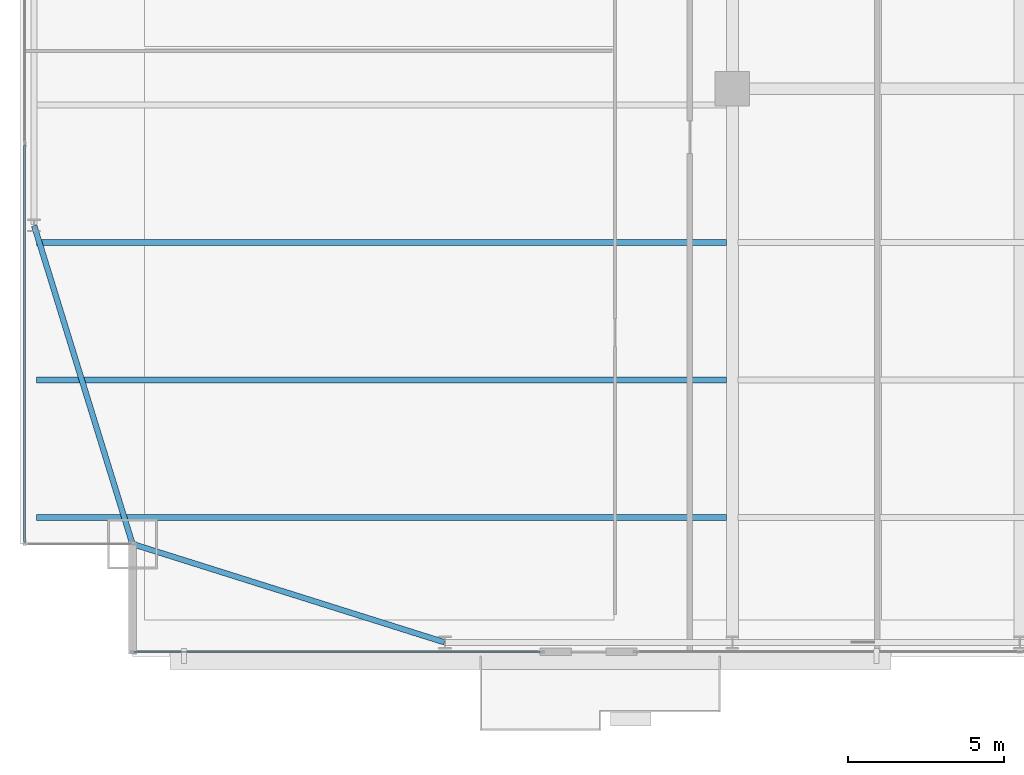
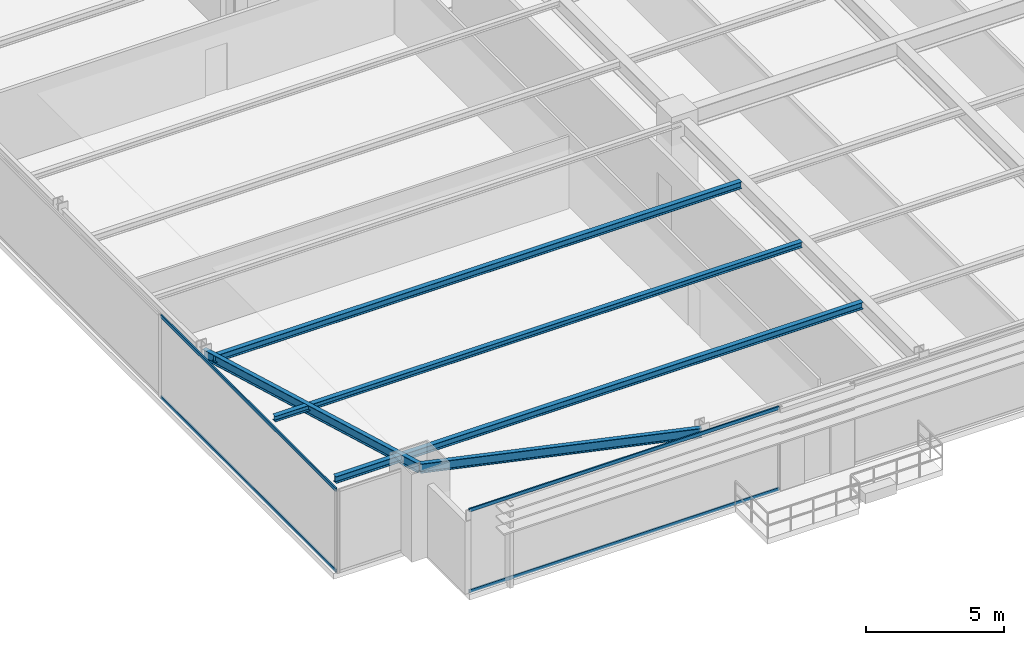
# One storey, part 4 of 31: 5 beams, 4 members, 2 elements without a shape of their own.
"""IFC4 building model written with IfcOpenShell, lengths in metres."""

import ifcopenshell
import ifcopenshell.guid

model = None  # the IFC model being written
_history = None  # IfcOwnerHistory: only IFC2X3 demands one
_inside = {}  # id of a spatial element -> (the spatial element, [elements in it])
_under = {}  # id of a project, library or spatial element -> (it, [spatial elements below it])
_declared = {}  # id of a project -> (the project, [libraries it declares])
_typed = {}  # id of a type object -> (the type object, [elements of that type])
_made_of = {}  # id of a material, layer set ... -> (it, [elements and type objects made of it])


def new_model(schema):
    """Start an empty IFC model of exactly this schema.

    Asked for "IFC4X3", IfcOpenShell would pick the latest addendum, in which some entities
    have other attributes; the version numbers below select the first issue.
    IFC2X3 requires an IfcOwnerHistory on every rooted entity: one is made here for all.
    """
    global model, _history
    if schema == "IFC4X3":
        model = ifcopenshell.file(schema_version=(4, 3, 0, 0))
    else:
        model = ifcopenshell.file(schema=schema)
    _inside.clear()
    _under.clear()
    _declared.clear()
    _typed.clear()
    _made_of.clear()
    _history = None
    if model.schema == "IFC2X3":
        org = make("IfcOrganization", Name="unknown")
        user = make(
            "IfcPersonAndOrganization",
            ThePerson=make("IfcPerson", FamilyName="unknown"),
            TheOrganization=org,
        )
        app = make(
            "IfcApplication",
            ApplicationDeveloper=org,
            Version="unknown",
            ApplicationFullName="unknown",
            ApplicationIdentifier="unknown",
        )
        _history = make(
            "IfcOwnerHistory",
            OwningUser=user,
            OwningApplication=app,
            ChangeAction="ADDED",
            CreationDate=0,
        )
    return model


def make(cls, **values):
    """One entity of the class cls with the attributes given. An attribute that is None is left unset."""
    return model.create_entity(
        cls, **{name: value for name, value in values.items() if value is not None}
    )


def rooted(cls, **values):
    """An entity with a GlobalId (a new one), such as an element, a storey or a relation."""
    return make(cls, GlobalId=ifcopenshell.guid.new(), OwnerHistory=_history, **values)


def si_unit(unit_type, name, prefix=None):
    """IfcSIUnit, for example si_unit("LENGTHUNIT", "METRE", prefix="MILLI")."""
    return make("IfcSIUnit", UnitType=unit_type, Prefix=prefix, Name=name)


def assignment(units):
    """IfcUnitAssignment: the units of a project."""
    return None if units is None else make("IfcUnitAssignment", Units=units)


def point(xyz):
    """IfcCartesianPoint."""
    return None if xyz is None else make("IfcCartesianPoint", Coordinates=xyz)


def direction(xyz):
    """IfcDirection."""
    return None if xyz is None else make("IfcDirection", DirectionRatios=xyz)


def frame(location, z_axis=None, x_axis=None):
    """IfcAxis2Placement3D, a coordinate frame: its origin and axes. An axis left out is left unset."""
    return make(
        "IfcAxis2Placement3D",
        Location=point(location),
        Axis=direction(z_axis),
        RefDirection=direction(x_axis),
    )


def frame_2d(location, x_axis=None):
    """IfcAxis2Placement2D, a coordinate frame in the plane: its origin and x axis."""
    return make(
        "IfcAxis2Placement2D", Location=point(location), RefDirection=direction(x_axis)
    )


def origin():
    """The frame at (0, 0, 0) with its axes left unset."""
    return frame((0.0, 0.0, 0.0))


def origin_2d():
    """The frame at (0, 0) in the plane with its x axis left unset."""
    return frame_2d((0.0, 0.0))


def place(relative_to, where):
    """IfcLocalPlacement: puts the frame where relative to a parent placement (None: the world)."""
    return make(
        "IfcLocalPlacement", PlacementRelTo=relative_to, RelativePlacement=where
    )


def context(
    kind, dimensions, precision=None, world=None, true_north=None, identifier=None
):
    """IfcGeometricRepresentationContext, for example the 3D "Model" context."""
    return make(
        "IfcGeometricRepresentationContext",
        ContextIdentifier=identifier,
        ContextType=kind,
        CoordinateSpaceDimension=dimensions,
        Precision=precision,
        WorldCoordinateSystem=world,
        TrueNorth=true_north,
    )


def subcontext(parent, identifier, kind, view, scale=None):
    """IfcGeometricRepresentationSubContext, for example "Body" below "Model"."""
    return make(
        "IfcGeometricRepresentationSubContext",
        ContextIdentifier=identifier,
        ContextType=kind,
        ParentContext=parent,
        TargetScale=scale,
        TargetView=view,
    )


def project(units=None, contexts=None):
    """IfcProject with its units and contexts."""
    return rooted(
        "IfcProject",
        Name="project",
        RepresentationContexts=contexts,
        UnitsInContext=assignment(units),
    )


def spatial(cls, under=None, at=None, **own):
    """A site, building, storey or space (cls), placed at a placement, below another one or the project."""
    s = rooted(cls, ObjectPlacement=at, **own)
    if under is not None:
        _under.setdefault(under.id(), (under, []))[1].append(s)
    return s


def profile(cls, at=None, kind="AREA", **sizes):
    """A parametric profile (cls). Its sizes go by their IFC names, for example OverallWidth=200.0."""
    return make(cls, ProfileType=kind, Position=at, **sizes)


def hollow_rectangle(**sizes):
    """IfcRectangleHollowProfileDef."""
    return profile("IfcRectangleHollowProfileDef", **sizes)


def i_section(**sizes):
    """IfcIShapeProfileDef."""
    return profile("IfcIShapeProfileDef", **sizes)


def extrude(swept, where, along, depth):
    """IfcExtrudedAreaSolid: the profile swept, set in the frame where, extruded along a direction by depth."""
    return make(
        "IfcExtrudedAreaSolid",
        SweptArea=swept,
        Position=where,
        ExtrudedDirection=direction(along),
        Depth=depth,
    )


def shape(context_of_items, identifier, shape_type, items):
    """IfcShapeRepresentation: the items that make up one representation, for example the "Body"."""
    return make(
        "IfcShapeRepresentation",
        ContextOfItems=context_of_items,
        RepresentationIdentifier=identifier,
        RepresentationType=shape_type,
        Items=items,
    )


def source(mapping_origin, context_of_items, identifier, shape_type, items):
    """IfcRepresentationMap: a shape defined once, which mapped items show again and again."""
    return make(
        "IfcRepresentationMap",
        MappingOrigin=mapping_origin,
        MappedRepresentation=shape(context_of_items, identifier, shape_type, items),
    )


def transform(
    local_origin,
    x_axis=None,
    y_axis=None,
    z_axis=None,
    scale=None,
    scale2=None,
    scale3=None,
    uniform=True,
):
    """IfcCartesianTransformationOperator3D, or its non-uniform kind. x_axis, y_axis, z_axis: its Axis1, 2, 3."""
    if uniform:
        return make(
            "IfcCartesianTransformationOperator3D",
            Axis1=direction(x_axis),
            Axis2=direction(y_axis),
            LocalOrigin=point(local_origin),
            Scale=scale,
            Axis3=direction(z_axis),
        )
    return make(
        "IfcCartesianTransformationOperator3DnonUniform",
        Axis1=direction(x_axis),
        Axis2=direction(y_axis),
        LocalOrigin=point(local_origin),
        Scale=scale,
        Axis3=direction(z_axis),
        Scale2=scale2,
        Scale3=scale3,
    )


def mapped(mapping_source, mapping_target):
    """IfcMappedItem: shows the shape of a source again, moved by a transform."""
    return make(
        "IfcMappedItem", MappingSource=mapping_source, MappingTarget=mapping_target
    )


def material(Name=None, Category=None):
    """IfcMaterial."""
    return make("IfcMaterial", Name=Name, Category=Category)


def layer(
    of_material, thickness, ventilated=None, Name=None, Category=None, Priority=None
):
    """IfcMaterialLayer: one layer of a wall or slab, of a material (None: an air gap)."""
    return make(
        "IfcMaterialLayer",
        Material=of_material,
        LayerThickness=thickness,
        IsVentilated=ventilated,
        Name=Name,
        Category=Category,
        Priority=Priority,
    )


def layer_set(layers, Name=None):
    """IfcMaterialLayerSet."""
    return make("IfcMaterialLayerSet", MaterialLayers=layers, LayerSetName=Name)


def material_profile(
    of_material, cross_section, Name=None, Category=None, Priority=None
):
    """IfcMaterialProfile: a cross section and its material."""
    return make(
        "IfcMaterialProfile",
        Name=Name,
        Material=of_material,
        Profile=cross_section,
        Priority=Priority,
        Category=Category,
    )


def profile_set(profiles, Name=None, composite=None):
    """IfcMaterialProfileSet."""
    return make(
        "IfcMaterialProfileSet",
        Name=Name,
        MaterialProfiles=profiles,
        CompositeProfile=composite,
    )


def made_of(thing, what):
    """Note that an element or type object is made of a material, layer set ...; save() writes the relation."""
    if what is not None:
        _made_of.setdefault(what.id(), (what, []))[1].append(thing)
    return thing


def type_object(cls, material=None, **own):
    """A type object (cls), such as IfcWallType, which elements share."""
    return made_of(rooted(cls, **own), material)


def type_shapes(of_type, sources):
    """Give a type object the sources (RepresentationMaps) that its elements show as mapped items."""
    of_type.RepresentationMaps = sources


def element(
    cls,
    number,
    at=None,
    inside=None,
    cuts=None,
    type_object=None,
    material=None,
    context=None,
    identifier="Body",
    shape_type=None,
    held_by="IfcProductDefinitionShape",
    body=None,
    shapes=None,
    **own,
):
    """One element of the class cls, such as IfcWall. Its Tag is "e" and its number.

    at: its placement. inside: the storey or other place that contains it. cuts: it is an
    opening in that element (IfcRelVoidsElement). A single representation is given by context,
    identifier, shape_type and body (its items); several are given by shapes. held_by: the class
    of the entity that holds the representations. save() writes the other relations.
    """
    e = rooted(cls, Tag="e%d" % number, ObjectPlacement=at, **own)
    if body is not None:
        shapes = [shape(context, identifier, shape_type, body)]
    if shapes is not None:
        e.Representation = make(held_by, Representations=shapes)
    if inside is not None:
        _inside.setdefault(inside.id(), (inside, []))[1].append(e)
    if cuts is not None:
        rooted(
            "IfcRelVoidsElement", RelatingBuildingElement=cuts, RelatedOpeningElement=e
        )
    if type_object is not None:
        _typed.setdefault(type_object.id(), (type_object, []))[1].append(e)
    return made_of(e, material)


def aggregate(whole, parts):
    """IfcRelAggregates: a whole, such as a stair, and the parts it consists of."""
    return rooted("IfcRelAggregates", RelatingObject=whole, RelatedObjects=parts)


def save(model, path):
    """Write the relations noted so far, then the file.

    IfcRelAggregates (storeys below a building ...), IfcRelContainedInSpatialStructure (elements
    in a storey), IfcRelDefinesByType, IfcRelAssociatesMaterial and IfcRelDeclares: one each for
    every whole, place, type object, material and project.
    """
    for whole, parts in _under.values():
        aggregate(whole, parts)
    for where, things in _inside.values():
        rooted(
            "IfcRelContainedInSpatialStructure",
            RelatedElements=things,
            RelatingStructure=where,
        )
    for kind, things in _typed.values():
        rooted("IfcRelDefinesByType", RelatedObjects=things, RelatingType=kind)
    for what, things in _made_of.values():
        rooted("IfcRelAssociatesMaterial", RelatedObjects=things, RelatingMaterial=what)
    for by, libraries in _declared.values():
        rooted("IfcRelDeclares", RelatingContext=by, RelatedDefinitions=libraries)
    model.write(path)


model = new_model("IFC4")

# Units and contexts
model_context = context("Model", 3, precision=1e-05, world=origin(), true_north=direction((0.0, 1.0)))
body_context = subcontext(model_context, "Body", "Model", "MODEL_VIEW")
ifc_project = project(units=[si_unit("LENGTHUNIT", "METRE"), si_unit("AREAUNIT", "SQUARE_METRE"), si_unit("VOLUMEUNIT", "CUBIC_METRE"), si_unit("PLANEANGLEUNIT", "RADIAN"), si_unit("MASSUNIT", "GRAM", prefix="KILO")], contexts=[model_context])

# Site, building, storey
site_placement = place(None, origin())
site = spatial("IfcSite", under=ifc_project, at=site_placement, CompositionType="ELEMENT")
building_placement = place(site_placement, origin())
building = spatial("IfcBuilding", under=site, at=building_placement, Name="Varnel Quay Broadcast Tower", CompositionType="ELEMENT")
storey_placement = place(building_placement, frame((0.0, 0.0, 35.39990234375)))
storey = spatial("IfcBuildingStorey", under=building, at=storey_placement, Name="L07", CompositionType="ELEMENT", Elevation=35.39990234375)

# Beams
ifc_material_1 = material(Name="Structural Steel CSA G40.21 350W", Category="steel")
ifc_material_profile_1 = material_profile(ifc_material_1, i_section(OverallWidth=0.180908203125, OverallDepth=0.4169921875, WebThickness=0.010986328125, FlangeThickness=0.018310546875, FilletRadius=0.011962890625, at=origin_2d()), Name="W410X85")
ifc_profile_set_1 = profile_set([ifc_material_profile_1], Name="Structural Steel CSA G40.21 350W")
beam_type_1 = type_object("IfcBeamType", Name="Beam_W410X85", PredefinedType="SPANDREL", material=ifc_profile_set_1)
shared_shape_1 = source(origin(), body_context, "Body", "SweptSolid", [
    extrude(i_section(OverallWidth=0.180908203125, OverallDepth=0.4169921875, WebThickness=0.010986328125, FlangeThickness=0.018310546875, FilletRadius=0.011962890625, at=origin_2d()), origin(), (0.0, 0.0, 1.0), 10.444091796875),
])
beam_1_placement = place(storey_placement, frame((5.619140625, 4.7939453125, 3.441650390625), z_axis=(0.953798277271, -0.300447743003, 0.0), x_axis=(0.300447743003, 0.953798277271, 0.0)))
element("IfcBeam", 1, at=beam_1_placement, inside=storey, type_object=beam_type_1, Name="L07 South Spandrel MC-SW-TC-S1", PredefinedType="SPANDREL", context=body_context, shape_type="MappedRepresentation", body=[
    mapped(shared_shape_1, transform((0.0, 0.0, 0.0), x_axis=(1.0, 0.0, 0.0), y_axis=(0.0, 1.0, 0.0), z_axis=(0.0, 0.0, 1.0), scale=1.0)),
])
shared_shape_2 = source(origin(), body_context, "Body", "SweptSolid", [
    extrude(i_section(OverallWidth=0.180908203125, OverallDepth=0.4169921875, WebThickness=0.010986328125, FlangeThickness=0.018310546875, FilletRadius=0.011962890625, at=origin_2d()), origin(), (0.0, 0.0, 1.0), 10.635498046875),
])
type_shapes(beam_type_1, [shared_shape_1, shared_shape_2])
beam_2_placement = place(storey_placement, frame((5.593994140625, 4.819091796875, 3.441650390625), z_axis=(-0.295069676324, 0.955475738108, 0.0), x_axis=(-0.955475738108, -0.295069676324, 0.0)))
element("IfcBeam", 2, at=beam_2_placement, inside=storey, type_object=beam_type_1, Name="L07 West Spandrel MC-SW-TC-W1", PredefinedType="SPANDREL", context=body_context, shape_type="MappedRepresentation", body=[
    mapped(shared_shape_2, transform((0.0, 0.0, 0.0), x_axis=(1.0, 0.0, 0.0), y_axis=(0.0, 1.0, 0.0), z_axis=(0.0, 0.0, 1.0), scale=1.0)),
])
ifc_material_profile_2 = material_profile(ifc_material_1, i_section(OverallWidth=0.202880859375, OverallDepth=0.302978515625, WebThickness=0.007568359375, FlangeThickness=0.01318359375, FilletRadius=0.011962890625, at=origin_2d()), Name="W310X60")
ifc_profile_set_2 = profile_set([ifc_material_profile_2], Name="Structural Steel CSA G40.21 350W")
beam_type_2 = type_object("IfcBeamType", Name="Beam_W310X60", PredefinedType="JOIST", material=ifc_profile_set_2)
shared_shape_3 = source(origin(), body_context, "Body", "SweptSolid", [
    extrude(i_section(OverallWidth=0.202880859375, OverallDepth=0.302978515625, WebThickness=0.007568359375, FlangeThickness=0.01318359375, FilletRadius=0.011962890625, at=origin_2d()), origin(), (0.0, 0.0, 1.0), 22.0791015625),
])
type_shapes(beam_type_2, [shared_shape_3])
for number, where, z_axis, x_axis, name in (
    (3, (2.535400390625, 5.64990234375, 3.49853515625), (1.0, 0.0, 0.0), (0.0, 1.0, 0.0), "L07 West Floor Joist 1"),
    (4, (2.535400390625, 14.449951171875, 3.49853515625), (1.0, 0.0, 0.0), (0.0, 1.0, 0.0), "L07 West Floor Joist 3"),
):
    element("IfcBeam", number, at=place(storey_placement, frame(where, z_axis=z_axis, x_axis=x_axis)), inside=storey, type_object=beam_type_2, Name=name, PredefinedType="JOIST", context=body_context, shape_type="MappedRepresentation", body=[
        mapped(shared_shape_3, transform((0.0, 0.0, 0.0), x_axis=(1.0, 0.0, 0.0), y_axis=(0.0, 1.0, 0.0), z_axis=(0.0, 0.0, 1.0), scale=1.0)),
    ])
ifc_material_profile_3 = material_profile(ifc_material_1, i_section(OverallWidth=0.201904296875, OverallDepth=0.2470703125, WebThickness=0.00732421875, FlangeThickness=0.010986328125, FilletRadius=0.010986328125, at=origin_2d()), Name="W250X49")
ifc_profile_set_3 = profile_set([ifc_material_profile_3], Name="Structural Steel CSA G40.21 350W")
beam_type_3 = type_object("IfcBeamType", Name="Beam_W250X49", PredefinedType="JOIST", material=ifc_profile_set_3)
shared_shape_4 = source(origin(), body_context, "Body", "SweptSolid", [
    extrude(i_section(OverallWidth=0.201904296875, OverallDepth=0.2470703125, WebThickness=0.00732421875, FlangeThickness=0.010986328125, FilletRadius=0.010986328125, at=origin_2d()), origin(), (0.0, 0.0, 1.0), 22.0791015625),
])
type_shapes(beam_type_3, [shared_shape_4])
beam_3_placement = place(storey_placement, frame((2.535400390625, 10.050048828125, 3.526611328125), z_axis=(1.0, 0.0, 0.0), x_axis=(0.0, 1.0, 0.0)))
element("IfcBeam", 5, at=beam_3_placement, inside=storey, type_object=beam_type_3, Name="L07 West Floor Joist 2", PredefinedType="JOIST", context=body_context, shape_type="MappedRepresentation", body=[
    mapped(shared_shape_4, transform((0.0, 0.0, 0.0), x_axis=(1.0, 0.0, 0.0), y_axis=(0.0, 1.0, 0.0), z_axis=(0.0, 0.0, 1.0), scale=1.0)),
])

# Curtain wall, members
ifc_material_2 = material(Name="Anodised Bronze Aluminium 6063-T6", Category="aluminium")
ifc_layer = layer(ifc_material_2, 0.18994140625, Name="Anodised Bronze Aluminium 6063-T6")
ifc_layer_set = layer_set([ifc_layer], Name="Anodised Bronze Aluminium 6063-T6")
curtain_wall_type = type_object("IfcCurtainWallType", Name="CW_LowerTower", PredefinedType="NOTDEFINED", material=ifc_layer_set)
curtain_wall_1_placement = place(storey_placement, origin())
curtain_wall_1 = element("IfcCurtainWall", 6, at=curtain_wall_1_placement, inside=storey, type_object=curtain_wall_type, Name="L07 South Unitised Curtain Wall 1", PredefinedType="NOTDEFINED")
ifc_material_profile_4 = material_profile(ifc_material_2, hollow_rectangle(XDim=0.06005859375, YDim=0.14501953125, WallThickness=0.00341796875, at=origin_2d()), Name="ALU60X145X3.5")
ifc_profile_set_4 = profile_set([ifc_material_profile_4], Name="Anodised Bronze Aluminium 6063-T6")
member_type = type_object("IfcMemberType", Name="Tran_CWS-02", PredefinedType="USERDEFINED", material=ifc_profile_set_4)
shared_shape_5 = source(origin(), body_context, "Body", "SweptSolid", [
    extrude(hollow_rectangle(XDim=0.06005859375, YDim=0.14501953125, WallThickness=0.00341796875, at=origin_2d()), origin(), (0.0, 0.0, 1.0), 12.97998046875),
])
member_1_placement = place(storey_placement, frame((5.669921875, 1.35009765625, 0.030029296875), z_axis=(1.0, 0.0, 0.0), x_axis=(0.0, 1.0, 0.0)))
member_1 = element("IfcMember", 7, at=member_1_placement, type_object=member_type, Name="CWS-02 transom 1.1", ObjectType="TRANSOM", PredefinedType="USERDEFINED", context=body_context, shape_type="MappedRepresentation", body=[
    mapped(shared_shape_5, transform((0.0, 0.0, 0.0), x_axis=(1.0, 0.0, 0.0), y_axis=(0.0, 1.0, 0.0), z_axis=(0.0, 0.0, 1.0), scale=1.0)),
])
member_2_placement = place(storey_placement, frame((5.669921875, 1.35009765625, 3.6201171875), z_axis=(1.0, 0.0, 0.0), x_axis=(0.0, 1.0, 0.0)))
member_2 = element("IfcMember", 8, at=member_2_placement, type_object=member_type, Name="CWS-02 transom 1.2", ObjectType="TRANSOM", PredefinedType="USERDEFINED", context=body_context, shape_type="MappedRepresentation", body=[
    mapped(shared_shape_5, transform((0.0, 0.0, 0.0), x_axis=(1.0, 0.0, 0.0), y_axis=(0.0, 1.0, 0.0), z_axis=(0.0, 0.0, 1.0), scale=1.0)),
])
aggregate(curtain_wall_1, [member_1, member_2])

curtain_wall_2_placement = place(storey_placement, origin())
curtain_wall_2 = element("IfcCurtainWall", 9, at=curtain_wall_2_placement, inside=storey, type_object=curtain_wall_type, Name="L07 West Unitised Curtain Wall", PredefinedType="NOTDEFINED")
shared_shape_6 = source(origin(), body_context, "Body", "SweptSolid", [
    extrude(hollow_rectangle(XDim=0.06005859375, YDim=0.14501953125, WallThickness=0.00341796875, at=origin_2d()), origin(), (0.0, 0.0, 1.0), 12.69482421875),
])
type_shapes(member_type, [shared_shape_5, shared_shape_6])
member_3_placement = place(storey_placement, frame((2.14990234375, 4.8701171875, 0.030029296875), z_axis=(0.0, 1.0, 0.0), x_axis=(-1.0, 0.0, 0.0)))
member_3 = element("IfcMember", 10, at=member_3_placement, type_object=member_type, Name="CWS-02 transom 1.1", ObjectType="TRANSOM", PredefinedType="USERDEFINED", context=body_context, shape_type="MappedRepresentation", body=[
    mapped(shared_shape_6, transform((0.0, 0.0, 0.0), x_axis=(1.0, 0.0, 0.0), y_axis=(0.0, 1.0, 0.0), z_axis=(0.0, 0.0, 1.0), scale=1.0)),
])
member_4_placement = place(storey_placement, frame((2.14990234375, 4.8701171875, 3.6201171875), z_axis=(0.0, 1.0, 0.0), x_axis=(-1.0, 0.0, 0.0)))
member_4 = element("IfcMember", 11, at=member_4_placement, type_object=member_type, Name="CWS-02 transom 1.2", ObjectType="TRANSOM", PredefinedType="USERDEFINED", context=body_context, shape_type="MappedRepresentation", body=[
    mapped(shared_shape_6, transform((0.0, 0.0, 0.0), x_axis=(1.0, 0.0, 0.0), y_axis=(0.0, 1.0, 0.0), z_axis=(0.0, 0.0, 1.0), scale=1.0)),
])
aggregate(curtain_wall_2, [member_3, member_4])

save(model, "model.ifc")
